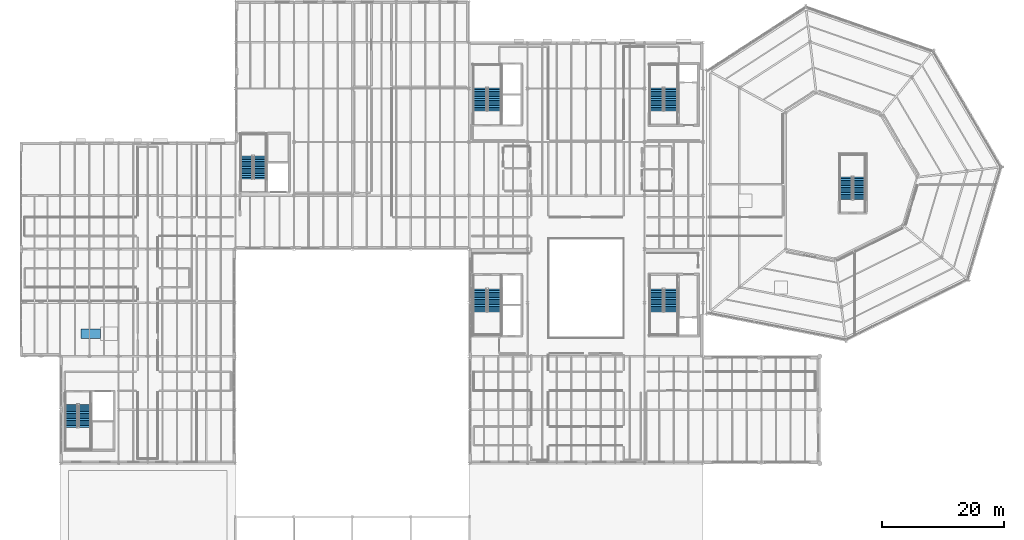
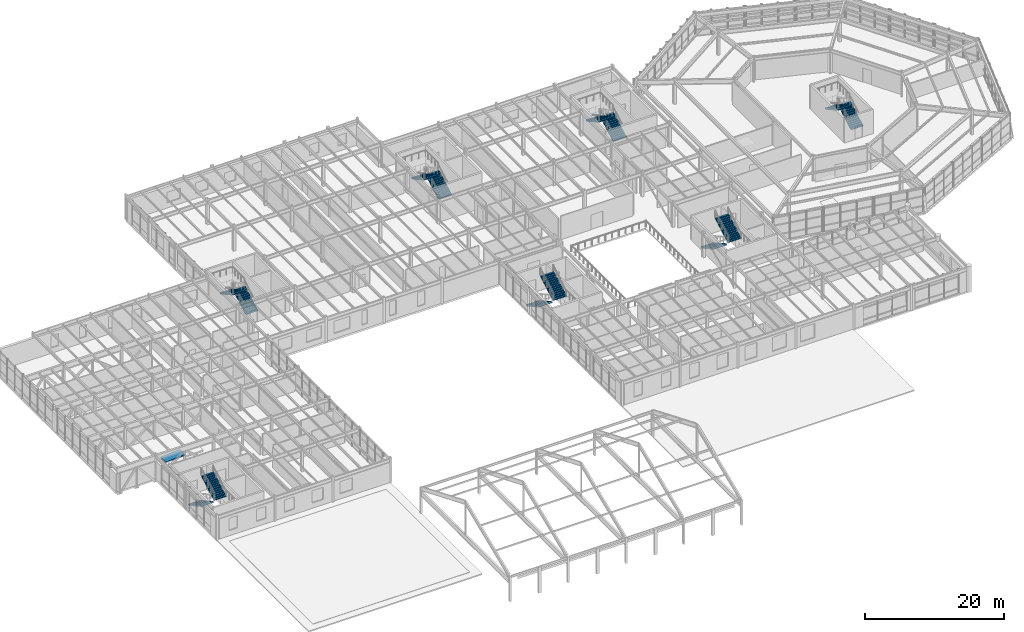
# One storey, part 77 of 88: 14 stair flights, 1 ramp flight, 8 elements without a shape of their own.
"""IFC4 building model written with IfcOpenShell, lengths in metres."""

from ifc_helpers import new_model, si_unit, direction, frame, origin, place, context, subcontext, project, spatial, polyline, outline, extrude, material, layer, layer_set, type_object, element, aggregate, save


model = new_model("IFC4")

# Units and contexts
model_context = context("Model", 3, precision=1e-05, world=origin(), true_north=direction((0.0, 1.0)))
body_context = subcontext(model_context, "Body", "Model", "MODEL_VIEW")
ifc_project = project(units=[si_unit("LENGTHUNIT", "METRE"), si_unit("AREAUNIT", "SQUARE_METRE"), si_unit("VOLUMEUNIT", "CUBIC_METRE"), si_unit("PLANEANGLEUNIT", "RADIAN"), si_unit("MASSUNIT", "GRAM", prefix="KILO")], contexts=[model_context])

# Site, building, storey
site_placement = place(None, origin())
site = spatial("IfcSite", under=ifc_project, at=site_placement, CompositionType="ELEMENT")
building_placement = place(site_placement, origin())
building = spatial("IfcBuilding", under=site, at=building_placement, Name="Sarnbrook Museum", CompositionType="ELEMENT")
storey_placement = place(building_placement, frame((0.0, 0.0, 10.10009765625)))
storey = spatial("IfcBuildingStorey", under=building, at=storey_placement, Name="L02", CompositionType="ELEMENT", Elevation=10.10009765625)

# Stair, stair flights
ifc_material = material(Name="Concrete N40 (AS 3600, f'c = 40 MPa)", Category="concrete")
stair_type_1 = type_object("IfcStairType", Name="Stair_ST03", PredefinedType="HALF_TURN_STAIR", material=ifc_material)
stair_1_placement = place(storey_placement, origin())
stair_1 = element("IfcStair", 1, at=stair_1_placement, inside=storey, type_object=stair_type_1, Name="L02 Exit Stair ST1", PredefinedType="HALF_TURN_STAIR")
stair_flight_type_1 = type_object("IfcStairFlightType", Name="StairFlight_SF03", PredefinedType="STRAIGHT", material=ifc_material)
stair_flight_1_placement = place(storey_placement, frame((111.550048828125, 67.8798828125, 0.0), z_axis=(0.0, 0.0, 1.0), x_axis=(0.0, -1.0, 0.0)))
stair_flight_1 = element("IfcStairFlight", 2, at=stair_flight_1_placement, type_object=stair_flight_type_1, Name="ST1 flight 1", NumberOfRisers=14, NumberOfTreads=13, PredefinedType="STRAIGHT", RiserHeight=0.160714286, TreadLength=0.29, context=body_context, shape_type="SweptSolid", body=[
    extrude(outline(polyline([(0.0, 0.0), (0.0, 0.16064453125), (0.2900390625, 0.16064453125), (0.2900390625, 0.321533203125), (0.580078125, 0.321533203125), (0.580078125, 0.482177734375), (0.8701171875, 0.482177734375), (0.8701171875, 0.642822265625), (1.159912109375, 0.642822265625), (1.159912109375, 0.803466796875), (1.449951171875, 0.803466796875), (1.449951171875, 0.96435546875), (1.739990234375, 0.96435546875), (1.739990234375, 1.125), (2.030029296875, 1.125), (2.030029296875, 1.28564453125), (2.320068359375, 1.28564453125), (2.320068359375, 1.446533203125), (2.610107421875, 1.446533203125), (2.610107421875, 1.607177734375), (2.89990234375, 1.607177734375), (2.89990234375, 1.767822265625), (3.18994140625, 1.767822265625), (3.18994140625, 1.928466796875), (3.47998046875, 1.928466796875), (3.47998046875, 2.08935546875), (3.77001953125, 2.08935546875), (3.77001953125, 2.25), (3.77001953125, 1.91796875), (0.309326171875, 0.0), (0.0, 0.0)])), frame((0.0, 1.10986328125, 0.0), z_axis=(0.0, -1.0, 0.0), x_axis=(1.0, 0.0, 0.0)), (0.0, 0.0, 1.0), 2.219970703125),
])
stair_flight_2_placement = place(storey_placement, frame((113.949951171875, 64.110107421875, 2.25), z_axis=(0.0, 0.0, 1.0), x_axis=(0.0, 1.0, 0.0)))
stair_flight_2 = element("IfcStairFlight", 3, at=stair_flight_2_placement, type_object=stair_flight_type_1, Name="ST1 flight 2", NumberOfRisers=14, NumberOfTreads=13, PredefinedType="STRAIGHT", RiserHeight=0.160714286, TreadLength=0.29, context=body_context, shape_type="SweptSolid", body=[
    extrude(outline(polyline([(0.0, 0.0), (0.0, 0.16064453125), (0.2900390625, 0.16064453125), (0.2900390625, 0.321533203125), (0.580078125, 0.321533203125), (0.580078125, 0.482177734375), (0.8701171875, 0.482177734375), (0.8701171875, 0.642822265625), (1.159912109375, 0.642822265625), (1.159912109375, 0.803466796875), (1.449951171875, 0.803466796875), (1.449951171875, 0.96435546875), (1.739990234375, 0.96435546875), (1.739990234375, 1.125), (2.030029296875, 1.125), (2.030029296875, 1.28564453125), (2.320068359375, 1.28564453125), (2.320068359375, 1.446533203125), (2.610107421875, 1.446533203125), (2.610107421875, 1.607177734375), (2.89990234375, 1.607177734375), (2.89990234375, 1.767822265625), (3.18994140625, 1.767822265625), (3.18994140625, 1.928466796875), (3.47998046875, 1.928466796875), (3.47998046875, 2.08935546875), (3.77001953125, 2.08935546875), (3.77001953125, 2.25), (3.77001953125, 1.91796875), (0.309326171875, 0.0), (0.0, 0.0)])), frame((0.0, 1.10986328125, 0.0), z_axis=(0.0, -1.0, 0.0), x_axis=(1.0, 0.0, 0.0)), (0.0, 0.0, 1.0), 2.219970703125),
])
aggregate(stair_1, [stair_flight_1, stair_flight_2])

stair_2_placement = place(storey_placement, origin())
stair_2 = element("IfcStair", 4, at=stair_2_placement, inside=storey, type_object=stair_type_1, Name="L02 Exit Stair ST2", PredefinedType="HALF_TURN_STAIR")
stair_flight_3_placement = place(storey_placement, frame((113.949951171875, 97.1201171875, 0.0), z_axis=(0.0, 0.0, 1.0), x_axis=(0.0, 1.0, 0.0)))
stair_flight_3 = element("IfcStairFlight", 5, at=stair_flight_3_placement, type_object=stair_flight_type_1, Name="ST2 flight 1", NumberOfRisers=14, NumberOfTreads=13, PredefinedType="STRAIGHT", RiserHeight=0.160714286, TreadLength=0.29, context=body_context, shape_type="SweptSolid", body=[
    extrude(outline(polyline([(0.0, 0.0), (0.0, 0.16064453125), (0.2900390625, 0.16064453125), (0.2900390625, 0.321533203125), (0.580078125, 0.321533203125), (0.580078125, 0.482177734375), (0.8701171875, 0.482177734375), (0.8701171875, 0.642822265625), (1.159912109375, 0.642822265625), (1.159912109375, 0.803466796875), (1.449951171875, 0.803466796875), (1.449951171875, 0.96435546875), (1.739990234375, 0.96435546875), (1.739990234375, 1.125), (2.030029296875, 1.125), (2.030029296875, 1.28564453125), (2.320068359375, 1.28564453125), (2.320068359375, 1.446533203125), (2.610107421875, 1.446533203125), (2.610107421875, 1.607177734375), (2.89990234375, 1.607177734375), (2.89990234375, 1.767822265625), (3.18994140625, 1.767822265625), (3.18994140625, 1.928466796875), (3.47998046875, 1.928466796875), (3.47998046875, 2.08935546875), (3.77001953125, 2.08935546875), (3.77001953125, 2.25), (3.77001953125, 1.91796875), (0.309326171875, 0.0), (0.0, 0.0)])), frame((0.0, 1.10986328125, 0.0), z_axis=(0.0, -1.0, 0.0), x_axis=(1.0, 0.0, 0.0)), (0.0, 0.0, 1.0), 2.219970703125),
])
stair_flight_4_placement = place(storey_placement, frame((111.550048828125, 100.889892578125, 2.25), z_axis=(0.0, 0.0, 1.0), x_axis=(0.0, -1.0, 0.0)))
stair_flight_4 = element("IfcStairFlight", 6, at=stair_flight_4_placement, type_object=stair_flight_type_1, Name="ST2 flight 2", NumberOfRisers=14, NumberOfTreads=13, PredefinedType="STRAIGHT", RiserHeight=0.160714286, TreadLength=0.29, context=body_context, shape_type="SweptSolid", body=[
    extrude(outline(polyline([(0.0, 0.0), (0.0, 0.16064453125), (0.2900390625, 0.16064453125), (0.2900390625, 0.321533203125), (0.580078125, 0.321533203125), (0.580078125, 0.482177734375), (0.8701171875, 0.482177734375), (0.8701171875, 0.642822265625), (1.159912109375, 0.642822265625), (1.159912109375, 0.803466796875), (1.449951171875, 0.803466796875), (1.449951171875, 0.96435546875), (1.739990234375, 0.96435546875), (1.739990234375, 1.125), (2.030029296875, 1.125), (2.030029296875, 1.28564453125), (2.320068359375, 1.28564453125), (2.320068359375, 1.446533203125), (2.610107421875, 1.446533203125), (2.610107421875, 1.607177734375), (2.89990234375, 1.607177734375), (2.89990234375, 1.767822265625), (3.18994140625, 1.767822265625), (3.18994140625, 1.928466796875), (3.47998046875, 1.928466796875), (3.47998046875, 2.08935546875), (3.77001953125, 2.08935546875), (3.77001953125, 2.25), (3.77001953125, 1.91796875), (0.309326171875, 0.0), (0.0, 0.0)])), frame((0.0, 1.10986328125, 0.0), z_axis=(0.0, -1.0, 0.0), x_axis=(1.0, 0.0, 0.0)), (0.0, 0.0, 1.0), 2.219970703125),
])
aggregate(stair_2, [stair_flight_3, stair_flight_4])

stair_3_placement = place(storey_placement, origin())
stair_3 = element("IfcStair", 7, at=stair_3_placement, inside=storey, type_object=stair_type_1, Name="L02 Exit Stair ST3", PredefinedType="HALF_TURN_STAIR")
stair_flight_5_placement = place(storey_placement, frame((82.550048828125, 67.8798828125, 0.0), z_axis=(0.0, 0.0, 1.0), x_axis=(0.0, -1.0, 0.0)))
stair_flight_5 = element("IfcStairFlight", 8, at=stair_flight_5_placement, type_object=stair_flight_type_1, Name="ST3 flight 1", NumberOfRisers=14, NumberOfTreads=13, PredefinedType="STRAIGHT", RiserHeight=0.160714286, TreadLength=0.29, context=body_context, shape_type="SweptSolid", body=[
    extrude(outline(polyline([(0.0, 0.0), (0.0, 0.16064453125), (0.2900390625, 0.16064453125), (0.2900390625, 0.321533203125), (0.580078125, 0.321533203125), (0.580078125, 0.482177734375), (0.8701171875, 0.482177734375), (0.8701171875, 0.642822265625), (1.159912109375, 0.642822265625), (1.159912109375, 0.803466796875), (1.449951171875, 0.803466796875), (1.449951171875, 0.96435546875), (1.739990234375, 0.96435546875), (1.739990234375, 1.125), (2.030029296875, 1.125), (2.030029296875, 1.28564453125), (2.320068359375, 1.28564453125), (2.320068359375, 1.446533203125), (2.610107421875, 1.446533203125), (2.610107421875, 1.607177734375), (2.89990234375, 1.607177734375), (2.89990234375, 1.767822265625), (3.18994140625, 1.767822265625), (3.18994140625, 1.928466796875), (3.47998046875, 1.928466796875), (3.47998046875, 2.08935546875), (3.77001953125, 2.08935546875), (3.77001953125, 2.25), (3.77001953125, 1.91796875), (0.309326171875, 0.0), (0.0, 0.0)])), frame((0.0, 1.10986328125, 0.0), z_axis=(0.0, -1.0, 0.0), x_axis=(1.0, 0.0, 0.0)), (0.0, 0.0, 1.0), 2.219970703125),
])
stair_flight_6_placement = place(storey_placement, frame((84.949951171875, 64.110107421875, 2.25), z_axis=(0.0, 0.0, 1.0), x_axis=(0.0, 1.0, 0.0)))
stair_flight_6 = element("IfcStairFlight", 9, at=stair_flight_6_placement, type_object=stair_flight_type_1, Name="ST3 flight 2", NumberOfRisers=14, NumberOfTreads=13, PredefinedType="STRAIGHT", RiserHeight=0.160714286, TreadLength=0.29, context=body_context, shape_type="SweptSolid", body=[
    extrude(outline(polyline([(0.0, 0.0), (0.0, 0.16064453125), (0.2900390625, 0.16064453125), (0.2900390625, 0.321533203125), (0.580078125, 0.321533203125), (0.580078125, 0.482177734375), (0.8701171875, 0.482177734375), (0.8701171875, 0.642822265625), (1.159912109375, 0.642822265625), (1.159912109375, 0.803466796875), (1.449951171875, 0.803466796875), (1.449951171875, 0.96435546875), (1.739990234375, 0.96435546875), (1.739990234375, 1.125), (2.030029296875, 1.125), (2.030029296875, 1.28564453125), (2.320068359375, 1.28564453125), (2.320068359375, 1.446533203125), (2.610107421875, 1.446533203125), (2.610107421875, 1.607177734375), (2.89990234375, 1.607177734375), (2.89990234375, 1.767822265625), (3.18994140625, 1.767822265625), (3.18994140625, 1.928466796875), (3.47998046875, 1.928466796875), (3.47998046875, 2.08935546875), (3.77001953125, 2.08935546875), (3.77001953125, 2.25), (3.77001953125, 1.91796875), (0.309326171875, 0.0), (0.0, 0.0)])), frame((0.0, 1.10986328125, 0.0), z_axis=(0.0, -1.0, 0.0), x_axis=(1.0, 0.0, 0.0)), (0.0, 0.0, 1.0), 2.219970703125),
])
aggregate(stair_3, [stair_flight_5, stair_flight_6])

stair_4_placement = place(storey_placement, origin())
stair_4 = element("IfcStair", 10, at=stair_4_placement, inside=storey, type_object=stair_type_1, Name="L02 Exit Stair ST4", PredefinedType="HALF_TURN_STAIR")
stair_flight_7_placement = place(storey_placement, frame((84.949951171875, 97.1201171875, 0.0), z_axis=(0.0, 0.0, 1.0), x_axis=(0.0, 1.0, 0.0)))
stair_flight_7 = element("IfcStairFlight", 11, at=stair_flight_7_placement, type_object=stair_flight_type_1, Name="ST4 flight 1", NumberOfRisers=14, NumberOfTreads=13, PredefinedType="STRAIGHT", RiserHeight=0.160714286, TreadLength=0.29, context=body_context, shape_type="SweptSolid", body=[
    extrude(outline(polyline([(0.0, 0.0), (0.0, 0.16064453125), (0.2900390625, 0.16064453125), (0.2900390625, 0.321533203125), (0.580078125, 0.321533203125), (0.580078125, 0.482177734375), (0.8701171875, 0.482177734375), (0.8701171875, 0.642822265625), (1.159912109375, 0.642822265625), (1.159912109375, 0.803466796875), (1.449951171875, 0.803466796875), (1.449951171875, 0.96435546875), (1.739990234375, 0.96435546875), (1.739990234375, 1.125), (2.030029296875, 1.125), (2.030029296875, 1.28564453125), (2.320068359375, 1.28564453125), (2.320068359375, 1.446533203125), (2.610107421875, 1.446533203125), (2.610107421875, 1.607177734375), (2.89990234375, 1.607177734375), (2.89990234375, 1.767822265625), (3.18994140625, 1.767822265625), (3.18994140625, 1.928466796875), (3.47998046875, 1.928466796875), (3.47998046875, 2.08935546875), (3.77001953125, 2.08935546875), (3.77001953125, 2.25), (3.77001953125, 1.91796875), (0.309326171875, 0.0), (0.0, 0.0)])), frame((0.0, 1.10986328125, 0.0), z_axis=(0.0, -1.0, 0.0), x_axis=(1.0, 0.0, 0.0)), (0.0, 0.0, 1.0), 2.219970703125),
])
stair_flight_8_placement = place(storey_placement, frame((82.550048828125, 100.889892578125, 2.25), z_axis=(0.0, 0.0, 1.0), x_axis=(0.0, -1.0, 0.0)))
stair_flight_8 = element("IfcStairFlight", 12, at=stair_flight_8_placement, type_object=stair_flight_type_1, Name="ST4 flight 2", NumberOfRisers=14, NumberOfTreads=13, PredefinedType="STRAIGHT", RiserHeight=0.160714286, TreadLength=0.29, context=body_context, shape_type="SweptSolid", body=[
    extrude(outline(polyline([(0.0, 0.0), (0.0, 0.16064453125), (0.2900390625, 0.16064453125), (0.2900390625, 0.321533203125), (0.580078125, 0.321533203125), (0.580078125, 0.482177734375), (0.8701171875, 0.482177734375), (0.8701171875, 0.642822265625), (1.159912109375, 0.642822265625), (1.159912109375, 0.803466796875), (1.449951171875, 0.803466796875), (1.449951171875, 0.96435546875), (1.739990234375, 0.96435546875), (1.739990234375, 1.125), (2.030029296875, 1.125), (2.030029296875, 1.28564453125), (2.320068359375, 1.28564453125), (2.320068359375, 1.446533203125), (2.610107421875, 1.446533203125), (2.610107421875, 1.607177734375), (2.89990234375, 1.607177734375), (2.89990234375, 1.767822265625), (3.18994140625, 1.767822265625), (3.18994140625, 1.928466796875), (3.47998046875, 1.928466796875), (3.47998046875, 2.08935546875), (3.77001953125, 2.08935546875), (3.77001953125, 2.25), (3.77001953125, 1.91796875), (0.309326171875, 0.0), (0.0, 0.0)])), frame((0.0, 1.10986328125, 0.0), z_axis=(0.0, -1.0, 0.0), x_axis=(1.0, 0.0, 0.0)), (0.0, 0.0, 1.0), 2.219970703125),
])
aggregate(stair_4, [stair_flight_7, stair_flight_8])

stair_type_2 = type_object("IfcStairType", Name="Stair_ST07", PredefinedType="HALF_TURN_STAIR", material=ifc_material)
stair_5_placement = place(storey_placement, origin())
stair_5 = element("IfcStair", 13, at=stair_5_placement, inside=storey, type_object=stair_type_2, Name="L02 Exit Stair ST5", PredefinedType="HALF_TURN_STAIR")
stair_flight_type_2 = type_object("IfcStairFlightType", Name="StairFlight_SF07", PredefinedType="STRAIGHT", material=ifc_material)
stair_flight_9_placement = place(storey_placement, frame((15.449951171875, 48.8798828125, 0.0), z_axis=(0.0, 0.0, 1.0), x_axis=(0.0, -1.0, 0.0)))
stair_flight_9 = element("IfcStairFlight", 14, at=stair_flight_9_placement, type_object=stair_flight_type_2, Name="ST5 flight 1", NumberOfRisers=14, NumberOfTreads=13, PredefinedType="STRAIGHT", RiserHeight=0.160714286, TreadLength=0.29, context=body_context, shape_type="SweptSolid", body=[
    extrude(outline(polyline([(0.0, 0.0), (0.0, 0.16064453125), (0.2900390625, 0.16064453125), (0.2900390625, 0.321533203125), (0.580078125, 0.321533203125), (0.580078125, 0.482177734375), (0.8701171875, 0.482177734375), (0.8701171875, 0.642822265625), (1.159912109375, 0.642822265625), (1.159912109375, 0.803466796875), (1.449951171875, 0.803466796875), (1.449951171875, 0.96435546875), (1.739990234375, 0.96435546875), (1.739990234375, 1.125), (2.030029296875, 1.125), (2.030029296875, 1.28564453125), (2.320068359375, 1.28564453125), (2.320068359375, 1.446533203125), (2.610107421875, 1.446533203125), (2.610107421875, 1.607177734375), (2.89990234375, 1.607177734375), (2.89990234375, 1.767822265625), (3.18994140625, 1.767822265625), (3.18994140625, 1.928466796875), (3.47998046875, 1.928466796875), (3.47998046875, 2.08935546875), (3.77001953125, 2.08935546875), (3.77001953125, 2.25), (3.77001953125, 1.91796875), (0.309326171875, 0.0), (0.0, 0.0)])), frame((0.0, 1.010009765625, 0.0), z_axis=(0.0, -1.0, 0.0), x_axis=(1.0, 0.0, 0.0)), (0.0, 0.0, 1.0), 2.02001953125),
])
stair_flight_10_placement = place(storey_placement, frame((17.6298828125, 45.110107421875, 2.25), z_axis=(0.0, 0.0, 1.0), x_axis=(0.0, 1.0, 0.0)))
stair_flight_10 = element("IfcStairFlight", 15, at=stair_flight_10_placement, type_object=stair_flight_type_2, Name="ST5 flight 2", NumberOfRisers=14, NumberOfTreads=13, PredefinedType="STRAIGHT", RiserHeight=0.160714286, TreadLength=0.29, context=body_context, shape_type="SweptSolid", body=[
    extrude(outline(polyline([(0.0, 0.0), (0.0, 0.16064453125), (0.2900390625, 0.16064453125), (0.2900390625, 0.321533203125), (0.580078125, 0.321533203125), (0.580078125, 0.482177734375), (0.8701171875, 0.482177734375), (0.8701171875, 0.642822265625), (1.159912109375, 0.642822265625), (1.159912109375, 0.803466796875), (1.449951171875, 0.803466796875), (1.449951171875, 0.96435546875), (1.739990234375, 0.96435546875), (1.739990234375, 1.125), (2.030029296875, 1.125), (2.030029296875, 1.28564453125), (2.320068359375, 1.28564453125), (2.320068359375, 1.446533203125), (2.610107421875, 1.446533203125), (2.610107421875, 1.607177734375), (2.89990234375, 1.607177734375), (2.89990234375, 1.767822265625), (3.18994140625, 1.767822265625), (3.18994140625, 1.928466796875), (3.47998046875, 1.928466796875), (3.47998046875, 2.08935546875), (3.77001953125, 2.08935546875), (3.77001953125, 2.25), (3.77001953125, 1.91796875), (0.309326171875, 0.0), (0.0, 0.0)])), frame((0.0, 1.010009765625, 0.0), z_axis=(0.0, -1.0, 0.0), x_axis=(1.0, 0.0, 0.0)), (0.0, 0.0, 1.0), 2.02001953125),
])
aggregate(stair_5, [stair_flight_9, stair_flight_10])

stair_6_placement = place(storey_placement, origin())
stair_6 = element("IfcStair", 16, at=stair_6_placement, inside=storey, type_object=stair_type_2, Name="L02 Exit Stair ST6", PredefinedType="HALF_TURN_STAIR")
stair_flight_11_placement = place(storey_placement, frame((46.429931640625, 85.919921875, 0.0), z_axis=(0.0, 0.0, 1.0), x_axis=(0.0, 1.0, 0.0)))
stair_flight_11 = element("IfcStairFlight", 17, at=stair_flight_11_placement, type_object=stair_flight_type_2, Name="ST6 flight 1", NumberOfRisers=14, NumberOfTreads=13, PredefinedType="STRAIGHT", RiserHeight=0.160714286, TreadLength=0.29, context=body_context, shape_type="SweptSolid", body=[
    extrude(outline(polyline([(0.0, 0.0), (0.0, 0.16064453125), (0.2900390625, 0.16064453125), (0.2900390625, 0.321533203125), (0.580078125, 0.321533203125), (0.580078125, 0.482177734375), (0.8701171875, 0.482177734375), (0.8701171875, 0.642822265625), (1.159912109375, 0.642822265625), (1.159912109375, 0.803466796875), (1.449951171875, 0.803466796875), (1.449951171875, 0.96435546875), (1.739990234375, 0.96435546875), (1.739990234375, 1.125), (2.030029296875, 1.125), (2.030029296875, 1.28564453125), (2.320068359375, 1.28564453125), (2.320068359375, 1.446533203125), (2.610107421875, 1.446533203125), (2.610107421875, 1.607177734375), (2.89990234375, 1.607177734375), (2.89990234375, 1.767822265625), (3.18994140625, 1.767822265625), (3.18994140625, 1.928466796875), (3.47998046875, 1.928466796875), (3.47998046875, 2.08935546875), (3.77001953125, 2.08935546875), (3.77001953125, 2.25), (3.77001953125, 1.91796875), (0.309326171875, 0.0), (0.0, 0.0)])), frame((0.0, 1.010009765625, 0.0), z_axis=(0.0, -1.0, 0.0), x_axis=(1.0, 0.0, 0.0)), (0.0, 0.0, 1.0), 2.02001953125),
])
stair_flight_12_placement = place(storey_placement, frame((44.25, 89.68994140625, 2.25), z_axis=(0.0, 0.0, 1.0), x_axis=(0.0, -1.0, 0.0)))
stair_flight_12 = element("IfcStairFlight", 18, at=stair_flight_12_placement, type_object=stair_flight_type_2, Name="ST6 flight 2", NumberOfRisers=14, NumberOfTreads=13, PredefinedType="STRAIGHT", RiserHeight=0.160714286, TreadLength=0.29, context=body_context, shape_type="SweptSolid", body=[
    extrude(outline(polyline([(0.0, 0.0), (0.0, 0.16064453125), (0.2900390625, 0.16064453125), (0.2900390625, 0.321533203125), (0.580078125, 0.321533203125), (0.580078125, 0.482177734375), (0.8701171875, 0.482177734375), (0.8701171875, 0.642822265625), (1.159912109375, 0.642822265625), (1.159912109375, 0.803466796875), (1.449951171875, 0.803466796875), (1.449951171875, 0.96435546875), (1.739990234375, 0.96435546875), (1.739990234375, 1.125), (2.030029296875, 1.125), (2.030029296875, 1.28564453125), (2.320068359375, 1.28564453125), (2.320068359375, 1.446533203125), (2.610107421875, 1.446533203125), (2.610107421875, 1.607177734375), (2.89990234375, 1.607177734375), (2.89990234375, 1.767822265625), (3.18994140625, 1.767822265625), (3.18994140625, 1.928466796875), (3.47998046875, 1.928466796875), (3.47998046875, 2.08935546875), (3.77001953125, 2.08935546875), (3.77001953125, 2.25), (3.77001953125, 1.91796875), (0.309326171875, 0.0), (0.0, 0.0)])), frame((0.0, 1.010009765625, 0.0), z_axis=(0.0, -1.0, 0.0), x_axis=(1.0, 0.0, 0.0)), (0.0, 0.0, 1.0), 2.02001953125),
])
aggregate(stair_6, [stair_flight_11, stair_flight_12])

stair_7_placement = place(storey_placement, origin())
stair_7 = element("IfcStair", 19, at=stair_7_placement, inside=storey, type_object=stair_type_2, Name="L02 Exit Stair ST7", PredefinedType="HALF_TURN_STAIR")
stair_flight_13_placement = place(storey_placement, frame((144.889892578125, 82.52001953125, 0.0), z_axis=(0.0, 0.0, 1.0), x_axis=(0.0, 1.0, 0.0)))
stair_flight_13 = element("IfcStairFlight", 20, at=stair_flight_13_placement, type_object=stair_flight_type_2, Name="ST7 flight 1", NumberOfRisers=14, NumberOfTreads=13, PredefinedType="STRAIGHT", RiserHeight=0.160714286, TreadLength=0.29, context=body_context, shape_type="SweptSolid", body=[
    extrude(outline(polyline([(0.0, 0.0), (0.0, 0.16064453125), (0.2900390625, 0.16064453125), (0.2900390625, 0.321533203125), (0.580078125, 0.321533203125), (0.580078125, 0.482177734375), (0.8701171875, 0.482177734375), (0.8701171875, 0.642822265625), (1.159912109375, 0.642822265625), (1.159912109375, 0.803466796875), (1.449951171875, 0.803466796875), (1.449951171875, 0.96435546875), (1.739990234375, 0.96435546875), (1.739990234375, 1.125), (2.030029296875, 1.125), (2.030029296875, 1.28564453125), (2.320068359375, 1.28564453125), (2.320068359375, 1.446533203125), (2.610107421875, 1.446533203125), (2.610107421875, 1.607177734375), (2.89990234375, 1.607177734375), (2.89990234375, 1.767822265625), (3.18994140625, 1.767822265625), (3.18994140625, 1.928466796875), (3.47998046875, 1.928466796875), (3.47998046875, 2.08935546875), (3.77001953125, 2.08935546875), (3.77001953125, 2.25), (3.77001953125, 1.91796875), (0.309326171875, 0.0), (0.0, 0.0)])), frame((0.0, 1.010009765625, 0.0), z_axis=(0.0, -1.0, 0.0), x_axis=(1.0, 0.0, 0.0)), (0.0, 0.0, 1.0), 2.02001953125),
])
stair_flight_14_placement = place(storey_placement, frame((142.7099609375, 86.2900390625, 2.25), z_axis=(0.0, 0.0, 1.0), x_axis=(0.0, -1.0, 0.0)))
stair_flight_14 = element("IfcStairFlight", 21, at=stair_flight_14_placement, type_object=stair_flight_type_2, Name="ST7 flight 2", NumberOfRisers=14, NumberOfTreads=13, PredefinedType="STRAIGHT", RiserHeight=0.160714286, TreadLength=0.29, context=body_context, shape_type="SweptSolid", body=[
    extrude(outline(polyline([(0.0, 0.0), (0.0, 0.16064453125), (0.2900390625, 0.16064453125), (0.2900390625, 0.321533203125), (0.580078125, 0.321533203125), (0.580078125, 0.482177734375), (0.8701171875, 0.482177734375), (0.8701171875, 0.642822265625), (1.159912109375, 0.642822265625), (1.159912109375, 0.803466796875), (1.449951171875, 0.803466796875), (1.449951171875, 0.96435546875), (1.739990234375, 0.96435546875), (1.739990234375, 1.125), (2.030029296875, 1.125), (2.030029296875, 1.28564453125), (2.320068359375, 1.28564453125), (2.320068359375, 1.446533203125), (2.610107421875, 1.446533203125), (2.610107421875, 1.607177734375), (2.89990234375, 1.607177734375), (2.89990234375, 1.767822265625), (3.18994140625, 1.767822265625), (3.18994140625, 1.928466796875), (3.47998046875, 1.928466796875), (3.47998046875, 2.08935546875), (3.77001953125, 2.08935546875), (3.77001953125, 2.25), (3.77001953125, 1.91796875), (0.309326171875, 0.0), (0.0, 0.0)])), frame((0.0, 1.010009765625, 0.0), z_axis=(0.0, -1.0, 0.0), x_axis=(1.0, 0.0, 0.0)), (0.0, 0.0, 1.0), 2.02001953125),
])
aggregate(stair_7, [stair_flight_13, stair_flight_14])

# Ramp, ramp flight
ramp_type = type_object("IfcRampType", Name="Ramp_Access1500", PredefinedType="STRAIGHT_RUN_RAMP", material=ifc_material)
ramp_placement = place(storey_placement, origin())
ramp = element("IfcRamp", 22, at=ramp_placement, inside=storey, type_object=ramp_type, material=ifc_material, Name="Lower Cantilever Gallery Accessible Ramp AR-5", PredefinedType="STRAIGHT_RUN_RAMP")
ifc_layer = layer(ifc_material, 0.219970703125)
ifc_layer_set = layer_set([ifc_layer], Name="Concrete N40 (AS 3600, f'c = 40 MPa)")
ramp_flight_type = type_object("IfcRampFlightType", Name="RampFlight_Access", PredefinedType="STRAIGHT", material=ifc_layer_set)
ramp_flight_placement = place(storey_placement, frame((17.0, 60.5, 0.0), z_axis=(0.0, 0.0, 1.0), x_axis=(1.0, 0.0, 0.0)))
ramp_flight = element("IfcRampFlight", 23, at=ramp_flight_placement, type_object=ramp_flight_type, material=ifc_material, Name="Lower Cantilever Gallery Accessible Ramp AR-5 flight 1", PredefinedType="STRAIGHT", context=body_context, shape_type="SweptSolid", body=[
    extrude(outline(polyline([(0.0, 0.0), (3.199951171875, 0.219970703125), (3.199951171875, 0.0), (0.0, -0.219970703125), (0.0, 0.0)])), frame((0.0, 0.75, 0.0), z_axis=(0.0, -1.0, 0.0), x_axis=(1.0, 0.0, 0.0)), (0.0, 0.0, 1.0), 1.5),
])
aggregate(ramp, [ramp_flight])

save(model, "model.ifc")
